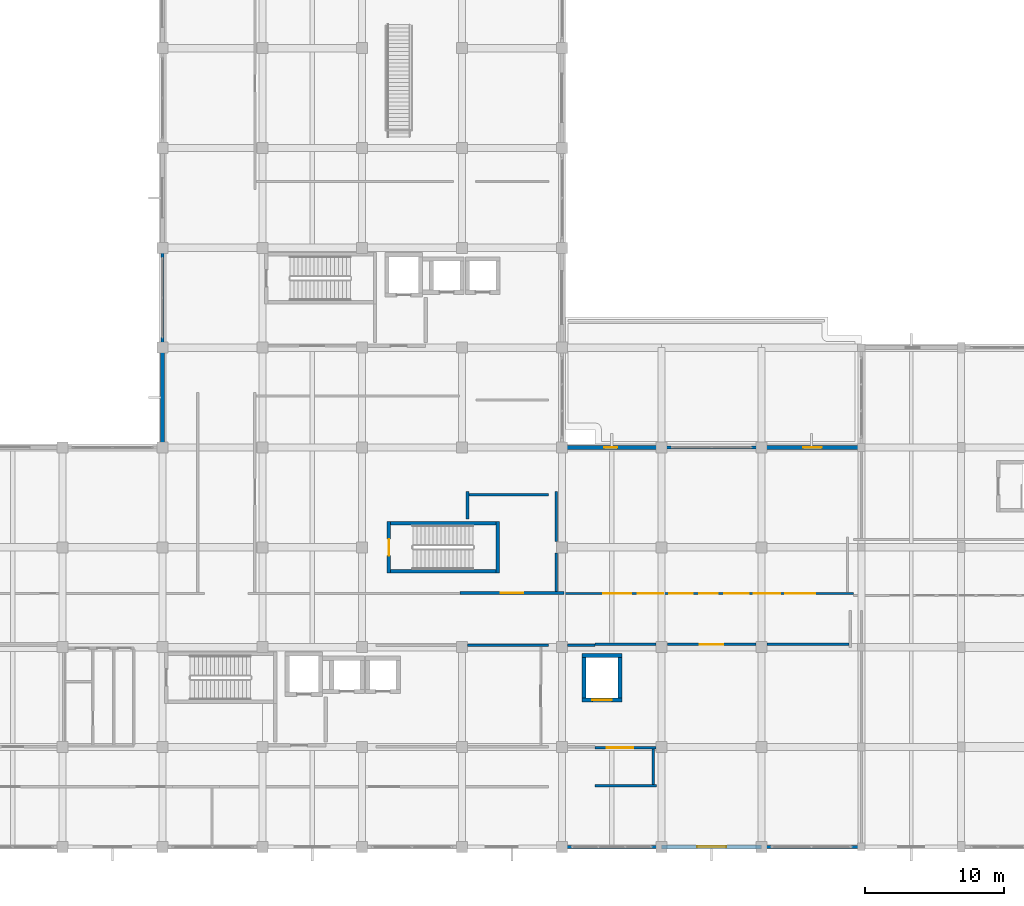
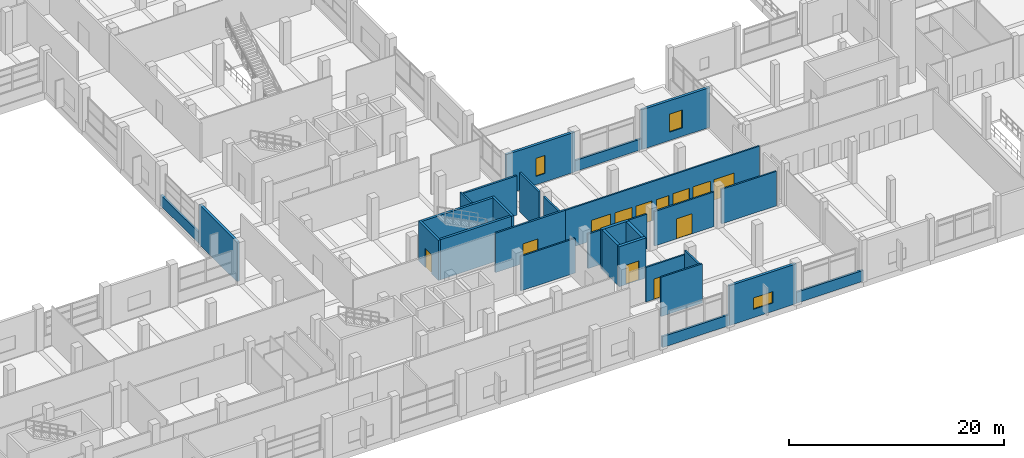
# One storey, part 123 of 140: 30 walls, 12 doors, 3 windows, 15 openings.
"""IFC4 building model written with IfcOpenShell, lengths in metres."""

from ifc_helpers import new_model, si_unit, direction, frame, frame_2d, origin, place, context, subcontext, project, spatial, rectangle, extrude, material, layer, layer_set, type_object, element, fill, save


model = new_model("IFC4")

# Units and contexts
model_context = context("Model", 3, precision=1e-05, world=origin(), true_north=direction((0.0, 1.0)))
body_context = subcontext(model_context, "Body", "Model", "MODEL_VIEW")
ifc_project = project(units=[si_unit("LENGTHUNIT", "METRE"), si_unit("AREAUNIT", "SQUARE_METRE"), si_unit("VOLUMEUNIT", "CUBIC_METRE"), si_unit("PLANEANGLEUNIT", "RADIAN"), si_unit("MASSUNIT", "GRAM", prefix="KILO")], contexts=[model_context])

# Site, building, storey
site_placement = place(None, origin())
site = spatial("IfcSite", under=ifc_project, at=site_placement, CompositionType="ELEMENT")
building_placement = place(site_placement, origin())
building = spatial("IfcBuilding", under=site, at=building_placement, Name="Seraya Terrace Polytechnic", CompositionType="ELEMENT")
storey_placement = place(building_placement, frame((0.0, 0.0, 9.60009765625)))
storey = spatial("IfcBuildingStorey", under=building, at=storey_placement, Name="L02", CompositionType="ELEMENT", Elevation=9.60009765625)

# Wall, opening, window
ifc_material_1 = material(Name="Precast concrete C40/50", Category="concrete")
ifc_layer_1 = layer(ifc_material_1, 0.280029296875, Name="EW-02")
ifc_layer_set_1 = layer_set([ifc_layer_1], Name="Precast concrete C40/50")
wall_type_1 = type_object("IfcWallType", Name="EW-02", PredefinedType="SOLIDWALL", material=ifc_layer_set_1)
wall_1_placement = place(storey_placement, frame((107.85009765625, 28.800048828125, 0.0), z_axis=(0.0, 0.0, 1.0), x_axis=(1.0, 0.0, 0.0)))
wall_1 = element("IfcWall", 1, at=wall_1_placement, inside=storey, type_object=wall_type_1, Name="Exterior structural wall EW-02 L02", PredefinedType="SOLIDWALL", context=body_context, shape_type="SweptSolid", body=[
    extrude(rectangle(XDim=7.349853515625, YDim=0.280029296875, at=frame_2d((3.6748046875, 0.0))), origin(), (0.0, 0.0, 1.0), 4.52001953125),
])
opening_1_placement = place(wall_1_placement, frame((3.199951171875, 0.0, 0.949951171875)))
opening_1 = element("IfcOpeningElement", 2, at=opening_1_placement, cuts=wall_1, Name="Opening WN-37", PredefinedType="OPENING", context=body_context, shape_type="SweptSolid", body=[
    extrude(rectangle(XDim=0.949951171875, YDim=2.050048828125, at=frame_2d((0.47509765625, 1.02490234375))), frame((0.0, 0.15185546875, 0.0), z_axis=(0.0, -1.0, 0.0), x_axis=(1.0, 0.0, 0.0)), (0.0, 0.0, 1.0), 0.303955078125),
])
ifc_material_2 = material(Name="Laminated solar-control Low-E double glazing", Category="glass")
window_type_1 = type_object("IfcWindowType", Name="WN-37", PartitioningType="SINGLE_PANEL", PredefinedType="WINDOW", material=ifc_material_2)
window_1_placement = place(opening_1_placement, origin())
window_1 = element("IfcWindow", 3, at=window_1_placement, inside=storey, type_object=window_type_1, Name="Exterior window WN-37 L02", OverallHeight=2.050048828125, OverallWidth=0.949951171875, PartitioningType="SINGLE_PANEL", PredefinedType="WINDOW", context=body_context, shape_type="SweptSolid", body=[
    extrude(rectangle(XDim=0.949951171875, YDim=2.050048828125, at=frame_2d((0.47509765625, 1.02490234375))), frame((0.0, 0.030029296875, 0.0), z_axis=(0.0, -1.0, 0.0), x_axis=(1.0, 0.0, 0.0)), (0.0, 0.0, 1.0), 0.06005859375),
])
fill(opening_1, window_1)

wall_2_placement = place(storey_placement, frame((122.39990234375, 28.800048828125, 0.0), z_axis=(0.0, 0.0, 1.0), x_axis=(1.0, 0.0, 0.0)))
wall_2 = element("IfcWall", 4, at=wall_2_placement, inside=storey, type_object=wall_type_1, Name="Exterior structural wall EW-02 L02", PredefinedType="SOLIDWALL", context=body_context, shape_type="SweptSolid", body=[
    extrude(rectangle(XDim=7.35009765625, YDim=0.280029296875, at=frame_2d((3.675048828125, 0.0))), origin(), (0.0, 0.0, 1.0), 4.52001953125),
])
opening_2_placement = place(wall_2_placement, frame((3.0, 0.0, 0.949951171875)))
opening_2 = element("IfcOpeningElement", 5, at=opening_2_placement, cuts=wall_2, Name="Opening WN-38", PredefinedType="OPENING", context=body_context, shape_type="SweptSolid", body=[
    extrude(rectangle(XDim=1.35009765625, YDim=2.050048828125, at=frame_2d((0.675048828125, 1.02490234375))), frame((0.0, 0.15185546875, 0.0), z_axis=(0.0, -1.0, 0.0), x_axis=(1.0, 0.0, 0.0)), (0.0, 0.0, 1.0), 0.303955078125),
])
window_type_2 = type_object("IfcWindowType", Name="WN-38", PartitioningType="SINGLE_PANEL", PredefinedType="WINDOW", material=ifc_material_2)
window_2_placement = place(opening_2_placement, origin())
window_2 = element("IfcWindow", 6, at=window_2_placement, inside=storey, type_object=window_type_2, Name="Exterior window WN-38 L02", OverallHeight=2.050048828125, OverallWidth=1.35009765625, PartitioningType="SINGLE_PANEL", PredefinedType="WINDOW", context=body_context, shape_type="SweptSolid", body=[
    extrude(rectangle(XDim=1.35009765625, YDim=2.050048828125, at=frame_2d((0.675048828125, 1.02490234375))), frame((0.0, 0.030029296875, 0.0), z_axis=(0.0, -1.0, 0.0), x_axis=(1.0, 0.0, 0.0)), (0.0, 0.0, 1.0), 0.06005859375),
])
fill(opening_2, window_2)

wall_3_placement = place(storey_placement, frame((122.39990234375, 0.0, 0.0), z_axis=(0.0, 0.0, 1.0), x_axis=(-1.0, 0.0, 0.0)))
wall_3 = element("IfcWall", 7, at=wall_3_placement, inside=storey, type_object=wall_type_1, Name="Exterior structural wall EW-02 L02", PredefinedType="SOLIDWALL", context=body_context, shape_type="SweptSolid", body=[
    extrude(rectangle(XDim=7.199951171875, YDim=0.280029296875, at=frame_2d((3.60009765625, 0.0))), origin(), (0.0, 0.0, 1.0), 4.52001953125),
])
opening_3_placement = place(wall_3_placement, frame((2.550048828125, 0.0, 0.949951171875)))
opening_3 = element("IfcOpeningElement", 8, at=opening_3_placement, cuts=wall_3, Name="Opening WN-08", PredefinedType="OPENING", context=body_context, shape_type="SweptSolid", body=[
    extrude(rectangle(XDim=2.10009765625, YDim=1.300048828125, at=frame_2d((1.050048828125, 0.64990234375))), frame((0.0, 0.15185546875, 0.0), z_axis=(0.0, -1.0, 0.0), x_axis=(1.0, 0.0, 0.0)), (0.0, 0.0, 1.0), 0.303955078125),
])
window_type_3 = type_object("IfcWindowType", Name="WN-08", PartitioningType="SINGLE_PANEL", PredefinedType="WINDOW", material=ifc_material_2)
window_3_placement = place(opening_3_placement, origin())
window_3 = element("IfcWindow", 9, at=window_3_placement, inside=storey, type_object=window_type_3, Name="Exterior window WN-08 L02", OverallHeight=1.300048828125, OverallWidth=2.10009765625, PartitioningType="SINGLE_PANEL", PredefinedType="WINDOW", context=body_context, shape_type="SweptSolid", body=[
    extrude(rectangle(XDim=2.10009765625, YDim=1.300048828125, at=frame_2d((1.050048828125, 0.64990234375))), frame((0.0, 0.030029296875, 0.0), z_axis=(0.0, -1.0, 0.0), x_axis=(1.0, 0.0, 0.0)), (0.0, 0.0, 1.0), 0.06005859375),
])
fill(opening_3, window_3)

# Walls
wall_4_placement = place(storey_placement, frame((79.199951171875, 28.951904296875, 0.0), z_axis=(0.0, 0.0, 1.0), x_axis=(0.0, 1.0, 0.0)))
element("IfcWall", 10, at=wall_4_placement, inside=storey, type_object=wall_type_1, Name="Exterior structural wall EW-02 L02", PredefinedType="SOLIDWALL", context=body_context, shape_type="SweptSolid", body=[
    extrude(rectangle(XDim=7.048095703125, YDim=0.280029296875, at=frame_2d((3.52392578125, 0.0))), origin(), (0.0, 0.0, 1.0), 4.52001953125),
])
ifc_layer_2 = layer(ifc_material_1, 0.219970703125, Name="EW-05")
ifc_layer_set_2 = layer_set([ifc_layer_2], Name="Precast concrete C40/50")
wall_type_2 = type_object("IfcWallType", Name="EW-05", PredefinedType="SOLIDWALL", material=ifc_layer_set_2)
wall_5_placement = place(storey_placement, frame((115.199951171875, 28.800048828125, 0.0), z_axis=(0.0, 0.0, 1.0), x_axis=(1.0, 0.0, 0.0)))
element("IfcWall", 11, at=wall_5_placement, inside=storey, type_object=wall_type_2, Name="Precast spandrel wall L02", PredefinedType="SOLIDWALL", context=body_context, shape_type="SweptSolid", body=[
    extrude(rectangle(XDim=7.199951171875, YDim=0.219970703125, at=frame_2d((3.60009765625, 0.0))), origin(), (0.0, 0.0, 1.0), 1.239990234375),
])
wall_6_placement = place(storey_placement, frame((129.60009765625, 0.0, 0.0), z_axis=(0.0, 0.0, 1.0), x_axis=(-1.0, 0.0, 0.0)))
element("IfcWall", 12, at=wall_6_placement, inside=storey, type_object=wall_type_2, Name="Precast spandrel wall L02", PredefinedType="SOLIDWALL", context=body_context, shape_type="SweptSolid", body=[
    extrude(rectangle(XDim=7.2001953125, YDim=0.219970703125, at=frame_2d((3.60009765625, 0.0))), origin(), (0.0, 0.0, 1.0), 1.239990234375),
])
for number, where, z_axis, x_axis, name in (
    (13, (115.199951171875, 0.0, 0.0), (0.0, 0.0, 1.0), (-1.0, 0.0, 0.0), "Precast spandrel wall L02"),
    (14, (79.199951171875, 36.0, 0.0), (0.0, 0.0, 1.0), (0.0, 1.0, 0.0), "Precast spandrel wall L02"),
):
    element("IfcWall", number, at=place(storey_placement, frame(where, z_axis=z_axis, x_axis=x_axis)), inside=storey, type_object=wall_type_2, Name=name, PredefinedType="SOLIDWALL", context=body_context, shape_type="SweptSolid", body=[
        extrude(rectangle(XDim=7.199951171875, YDim=0.219970703125, at=frame_2d((3.60009765625, 0.0))), origin(), (0.0, 0.0, 1.0), 1.239990234375),
    ])

# Wall, opening, door
ifc_material_3 = material(Name="Autoclaved aerated concrete blockwork", Category="masonry")
ifc_layer_3 = layer(ifc_material_3, 0.199951171875, Name="PT-01")
ifc_layer_set_3 = layer_set([ifc_layer_3], Name="Autoclaved aerated concrete blockwork")
wall_type_3 = type_object("IfcWallType", Name="PT-01", PredefinedType="PARTITIONING", material=ifc_layer_set_3)
wall_7_placement = place(storey_placement, frame((100.639892578125, 18.300048828125, 0.0), z_axis=(0.0, 0.0, 1.0), x_axis=(1.0, 0.0, 0.0)))
wall_7 = element("IfcWall", 15, at=wall_7_placement, inside=storey, type_object=wall_type_3, Name="Internal partition PT-01 L02", PredefinedType="PARTITIONING", context=body_context, shape_type="SweptSolid", body=[
    extrude(rectangle(XDim=7.52001953125, YDim=0.199951171875, at=frame_2d((3.760009765625, 0.0))), origin(), (0.0, 0.0, 1.0), 4.4599609375),
])
opening_4_placement = place(wall_7_placement, frame((2.93994140625, 0.0, 0.0)))
opening_4 = element("IfcOpeningElement", 16, at=opening_4_placement, cuts=wall_7, Name="Opening FD-03", PredefinedType="OPENING", context=body_context, shape_type="SweptSolid", body=[
    extrude(rectangle(XDim=1.639892578125, YDim=2.239990234375, at=frame_2d((0.81982421875, 1.1201171875))), frame((0.0, 0.11181640625, 0.0), z_axis=(0.0, -1.0, 0.0), x_axis=(1.0, 0.0, 0.0)), (0.0, 0.0, 1.0), 0.223876953125),
])
ifc_material_4 = material(Name="Steel S355J2", Category="steel")
door_type_1 = type_object("IfcDoorType", Name="FD-03", OperationType="DOUBLE_DOOR_SINGLE_SWING", PredefinedType="DOOR", material=ifc_material_4)
door_1_placement = place(opening_4_placement, origin())
door_1 = element("IfcDoor", 17, at=door_1_placement, inside=storey, type_object=door_type_1, Name="Door FD-03 DR-INT-L02-0146 in WL-INT-L02-0410", OperationType="DOUBLE_DOOR_SINGLE_SWING", OverallHeight=2.239990234375, OverallWidth=1.639892578125, PredefinedType="DOOR", context=body_context, shape_type="SweptSolid", body=[
    extrude(rectangle(XDim=1.639892578125, YDim=2.239990234375, at=frame_2d((0.81982421875, 1.1201171875))), frame((0.0, 0.02490234375, 0.0), z_axis=(0.0, -1.0, 0.0), x_axis=(1.0, 0.0, 0.0)), (0.0, 0.0, 1.0), 0.050048828125),
])
fill(opening_4, door_1)

# Walls
wall_8_placement = place(storey_placement, frame((101.199951171875, 23.6298828125, 0.0), z_axis=(0.0, 0.0, 1.0), x_axis=(0.0, 1.0, 0.0)))
element("IfcWall", 18, at=wall_8_placement, inside=storey, type_object=wall_type_3, Name="Internal partition PT-01 L02", PredefinedType="PARTITIONING", context=body_context, shape_type="SweptSolid", body=[
    extrude(rectangle(XDim=2.010009765625, YDim=0.199951171875, at=frame_2d((1.0048828125, 0.0))), origin(), (0.0, 0.0, 1.0), 4.4599609375),
])
wall_9_placement = place(storey_placement, frame((101.31494140625, 25.39990234375, 0.0), z_axis=(0.0, 0.0, 1.0), x_axis=(1.0, 0.0, 0.0)))
element("IfcWall", 19, at=wall_9_placement, inside=storey, type_object=wall_type_3, Name="Internal partition PT-01 L02", PredefinedType="PARTITIONING", context=body_context, shape_type="SweptSolid", body=[
    extrude(rectangle(XDim=5.740478515625, YDim=0.199951171875, at=frame_2d((2.8701171875, 0.0))), origin(), (0.0, 0.0, 1.0), 4.4599609375),
])
wall_10_placement = place(storey_placement, frame((107.60009765625, 22.010009765625, 0.0), z_axis=(0.0, 0.0, 1.0), x_axis=(0.0, 1.0, 0.0)))
element("IfcWall", 20, at=wall_10_placement, inside=storey, type_object=wall_type_3, Name="Internal partition PT-01 L02", PredefinedType="PARTITIONING", context=body_context, shape_type="SweptSolid", body=[
    extrude(rectangle(XDim=3.6298828125, YDim=0.199951171875, at=frame_2d((1.81494140625, 0.0))), origin(), (0.0, 0.0, 1.0), 4.4599609375),
])
wall_11_placement = place(storey_placement, frame((107.60009765625, 18.4150390625, 0.0), z_axis=(0.0, 0.0, 1.0), x_axis=(0.0, 1.0, 0.0)))
element("IfcWall", 21, at=wall_11_placement, inside=storey, type_object=wall_type_3, Name="Internal partition PT-01 L02", PredefinedType="PARTITIONING", context=body_context, shape_type="SweptSolid", body=[
    extrude(rectangle(XDim=2.77490234375, YDim=0.199951171875, at=frame_2d((1.387451171875, 0.0))), origin(), (0.0, 0.0, 1.0), 4.4599609375),
])
ifc_layer_4 = layer(ifc_material_3, 0.169921875, Name="PT-02")
ifc_layer_set_4 = layer_set([ifc_layer_4], Name="Autoclaved aerated concrete blockwork")
wall_type_4 = type_object("IfcWallType", Name="PT-02", PredefinedType="PARTITIONING", material=ifc_layer_set_4)
wall_12_placement = place(storey_placement, frame((101.2099609375, 14.530029296875, 0.0), z_axis=(0.0, 0.0, 1.0), x_axis=(1.0, 0.0, 0.0)))
element("IfcWall", 22, at=wall_12_placement, inside=storey, type_object=wall_type_4, Name="Internal partition PT-02 L02", PredefinedType="PARTITIONING", context=body_context, shape_type="SweptSolid", body=[
    extrude(rectangle(XDim=5.833984375, YDim=0.169921875, at=frame_2d((2.9169921875, 0.0))), origin(), (0.0, 0.0, 1.0), 3.929931640625),
])

# Wall, opening, door
wall_13_placement = place(storey_placement, frame((115.610107421875, 14.60009765625, 0.0), z_axis=(0.0, 0.0, 1.0), x_axis=(1.0, 0.0, 0.0)))
wall_13 = element("IfcWall", 23, at=wall_13_placement, inside=storey, type_object=wall_type_4, Name="Internal partition PT-02 L02", PredefinedType="PARTITIONING", context=body_context, shape_type="SweptSolid", body=[
    extrude(rectangle(XDim=6.3798828125, YDim=0.169921875, at=frame_2d((3.18994140625, 0.0))), origin(), (0.0, 0.0, 1.0), 3.929931640625),
])
opening_5_placement = place(wall_13_placement, frame((2.35009765625, 0.0, 0.0)))
opening_5 = element("IfcOpeningElement", 24, at=opening_5_placement, cuts=wall_13, Name="Opening ID-13", PredefinedType="OPENING", context=body_context, shape_type="SweptSolid", body=[
    extrude(rectangle(XDim=1.679931640625, YDim=2.280029296875, at=frame_2d((0.83984375, 1.14013671875))), frame((0.0, 0.096923828125, 0.0), z_axis=(0.0, -1.0, 0.0), x_axis=(1.0, 0.0, 0.0)), (0.0, 0.0, 1.0), 0.19384765625),
])
ifc_material_5 = material(Name="Malaysian dark red meranti hardwood timber D40", Category="wood")
door_type_2 = type_object("IfcDoorType", Name="ID-13", OperationType="DOUBLE_DOOR_SINGLE_SWING", PredefinedType="DOOR", material=ifc_material_5)
door_2_placement = place(opening_5_placement, origin())
door_2 = element("IfcDoor", 25, at=door_2_placement, inside=storey, type_object=door_type_2, Name="Door ID-13 DR-INT-L02-0154 in WL-INT-L02-0430", OperationType="DOUBLE_DOOR_SINGLE_SWING", OverallHeight=2.280029296875, OverallWidth=1.679931640625, PredefinedType="DOOR", context=body_context, shape_type="SweptSolid", body=[
    extrude(rectangle(XDim=1.679931640625, YDim=2.280029296875, at=frame_2d((0.83984375, 1.14013671875))), frame((0.0, 0.02490234375, 0.0), z_axis=(0.0, -1.0, 0.0), x_axis=(1.0, 0.0, 0.0)), (0.0, 0.0, 1.0), 0.050048828125),
])
fill(opening_5, door_2)

# Walls
wall_14_placement = place(storey_placement, frame((122.81005859375, 14.60009765625, 0.0), z_axis=(0.0, 0.0, 1.0), x_axis=(1.0, 0.0, 0.0)))
element("IfcWall", 26, at=wall_14_placement, inside=storey, type_object=wall_type_4, Name="Internal partition PT-02 L02", PredefinedType="PARTITIONING", context=body_context, shape_type="SweptSolid", body=[
    extrude(rectangle(XDim=5.889892578125, YDim=0.169921875, at=frame_2d((2.94482421875, 0.0))), origin(), (0.0, 0.0, 1.0), 3.929931640625),
])
wall_15_placement = place(storey_placement, frame((110.388427734375, 14.60009765625, 0.0), z_axis=(0.0, 0.0, 1.0), x_axis=(1.0, 0.0, 0.0)))
element("IfcWall", 27, at=wall_15_placement, inside=storey, type_object=wall_type_4, Name="Internal partition PT-02 L02", PredefinedType="PARTITIONING", context=body_context, shape_type="SweptSolid", body=[
    extrude(rectangle(XDim=4.401611328125, YDim=0.169921875, at=frame_2d((2.20068359375, 0.0))), origin(), (0.0, 0.0, 1.0), 3.929931640625),
])
wall_16_placement = place(storey_placement, frame((108.409912109375, 14.530029296875, 0.0), z_axis=(0.0, 0.0, 1.0), x_axis=(1.0, 0.0, 0.0)))
element("IfcWall", 28, at=wall_16_placement, inside=storey, type_object=wall_type_4, Name="Internal partition PT-02 L02", PredefinedType="PARTITIONING", context=body_context, shape_type="SweptSolid", body=[
    extrude(rectangle(XDim=1.978515625, YDim=0.169921875, at=frame_2d((0.9892578125, 0.0))), origin(), (0.0, 0.0, 1.0), 3.929931640625),
])

# Wall, openings, doors
wall_17_placement = place(storey_placement, frame((108.159912109375, 18.27001953125, 0.0), z_axis=(0.0, 0.0, 1.0), x_axis=(1.0, 0.0, 0.0)))
wall_17 = element("IfcWall", 29, at=wall_17_placement, inside=storey, type_object=wall_type_4, Name="Internal partition PT-02 L02", PredefinedType="PARTITIONING", context=body_context, shape_type="SweptSolid", body=[
    extrude(rectangle(XDim=20.8603515625, YDim=0.169921875, at=frame_2d((10.43017578125, 0.0))), origin(), (0.0, 0.0, 1.0), 4.4599609375),
])
opening_6_placement = place(wall_17_placement, frame((9.760009765625, 0.0, 0.0)))
opening_6 = element("IfcOpeningElement", 30, at=opening_6_placement, cuts=wall_17, Name="Opening ID-09", PredefinedType="OPENING", context=body_context, shape_type="SweptSolid", body=[
    extrude(rectangle(XDim=1.340087890625, YDim=2.239990234375, at=frame_2d((0.669921875, 1.1201171875))), frame((0.0, 0.096923828125, 0.0), z_axis=(0.0, -1.0, 0.0), x_axis=(1.0, 0.0, 0.0)), (0.0, 0.0, 1.0), 0.19384765625),
])
opening_7_placement = place(wall_17_placement, frame((7.590087890625, 0.0, 0.0)))
opening_7 = element("IfcOpeningElement", 31, at=opening_7_placement, cuts=wall_17, Name="Opening ID-13", PredefinedType="OPENING", context=body_context, shape_type="SweptSolid", body=[
    extrude(rectangle(XDim=1.679931640625, YDim=2.280029296875, at=frame_2d((0.83984375, 1.14013671875))), frame((0.0, 0.096923828125, 0.0), z_axis=(0.0, -1.0, 0.0), x_axis=(1.0, 0.0, 0.0)), (0.0, 0.0, 1.0), 0.19384765625),
])
opening_8_placement = place(wall_17_placement, frame((11.550048828125, 0.0, 0.0)))
opening_8 = element("IfcOpeningElement", 32, at=opening_8_placement, cuts=wall_17, Name="Opening ID-14", PredefinedType="OPENING", context=body_context, shape_type="SweptSolid", body=[
    extrude(rectangle(XDim=1.760009765625, YDim=2.300048828125, at=frame_2d((0.8798828125, 1.14990234375))), frame((0.0, 0.096923828125, 0.0), z_axis=(0.0, -1.0, 0.0), x_axis=(1.0, 0.0, 0.0)), (0.0, 0.0, 1.0), 0.19384765625),
])
opening_9_placement = place(wall_17_placement, frame((5.31005859375, 0.0, 0.0)))
opening_9 = element("IfcOpeningElement", 33, at=opening_9_placement, cuts=wall_17, Name="Opening ID-15", PredefinedType="OPENING", context=body_context, shape_type="SweptSolid", body=[
    extrude(rectangle(XDim=1.840087890625, YDim=2.300048828125, at=frame_2d((0.919921875, 1.14990234375))), frame((0.0, 0.096923828125, 0.0), z_axis=(0.0, -1.0, 0.0), x_axis=(1.0, 0.0, 0.0)), (0.0, 0.0, 1.0), 0.19384765625),
])
opening_10_placement = place(wall_17_placement, frame((13.670166015625, 0.0, 0.0)))
opening_10 = element("IfcOpeningElement", 34, at=opening_10_placement, cuts=wall_17, Name="Opening ID-16", PredefinedType="OPENING", context=body_context, shape_type="SweptSolid", body=[
    extrude(rectangle(XDim=1.919921875, YDim=2.320068359375, at=frame_2d((0.9599609375, 1.16015625))), frame((0.0, 0.096923828125, 0.0), z_axis=(0.0, -1.0, 0.0), x_axis=(1.0, 0.0, 0.0)), (0.0, 0.0, 1.0), 0.19384765625),
])
opening_11_placement = place(wall_17_placement, frame((2.81005859375, 0.0, 0.0)))
opening_11 = element("IfcOpeningElement", 35, at=opening_11_placement, cuts=wall_17, Name="Opening ID-17", PredefinedType="OPENING", context=body_context, shape_type="SweptSolid", body=[
    extrude(rectangle(XDim=2.0400390625, YDim=2.340087890625, at=frame_2d((1.02001953125, 1.169921875))), frame((0.0, 0.096923828125, 0.0), z_axis=(0.0, -1.0, 0.0), x_axis=(1.0, 0.0, 0.0)), (0.0, 0.0, 1.0), 0.19384765625),
])
opening_12_placement = place(wall_17_placement, frame((15.9501953125, 0.0, 0.0)))
opening_12 = element("IfcOpeningElement", 36, at=opening_12_placement, cuts=wall_17, Name="Opening ID-18", PredefinedType="OPENING", context=body_context, shape_type="SweptSolid", body=[
    extrude(rectangle(XDim=2.159912109375, YDim=2.35009765625, at=frame_2d((1.080078125, 1.175048828125))), frame((0.0, 0.096923828125, 0.0), z_axis=(0.0, -1.0, 0.0), x_axis=(1.0, 0.0, 0.0)), (0.0, 0.0, 1.0), 0.19384765625),
])
door_type_3 = type_object("IfcDoorType", Name="ID-09", OperationType="NOTDEFINED", PredefinedType="DOOR", material=ifc_material_5)
door_3_placement = place(opening_6_placement, origin())
door_3 = element("IfcDoor", 37, at=door_3_placement, inside=storey, type_object=door_type_3, Name="Door ID-09 DR-INT-L02-0134 in WL-INT-L02-0434", OperationType="SINGLE_SWING_LEFT", OverallHeight=2.239990234375, OverallWidth=1.340087890625, PredefinedType="DOOR", context=body_context, shape_type="SweptSolid", body=[
    extrude(rectangle(XDim=1.340087890625, YDim=2.239990234375, at=frame_2d((0.669921875, 1.1201171875))), frame((0.0, 0.02490234375, 0.0), z_axis=(0.0, -1.0, 0.0), x_axis=(1.0, 0.0, 0.0)), (0.0, 0.0, 1.0), 0.050048828125),
])
fill(opening_6, door_3)
door_4_placement = place(opening_7_placement, origin())
door_4 = element("IfcDoor", 38, at=door_4_placement, inside=storey, type_object=door_type_2, Name="Door ID-13 DR-INT-L02-0170 in WL-INT-L02-0434", OperationType="DOUBLE_DOOR_SINGLE_SWING", OverallHeight=2.280029296875, OverallWidth=1.679931640625, PredefinedType="DOOR", context=body_context, shape_type="SweptSolid", body=[
    extrude(rectangle(XDim=1.679931640625, YDim=2.280029296875, at=frame_2d((0.83984375, 1.14013671875))), frame((0.0, 0.02490234375, 0.0), z_axis=(0.0, -1.0, 0.0), x_axis=(1.0, 0.0, 0.0)), (0.0, 0.0, 1.0), 0.050048828125),
])
fill(opening_7, door_4)
door_type_4 = type_object("IfcDoorType", Name="ID-14", OperationType="DOUBLE_DOOR_SINGLE_SWING", PredefinedType="DOOR", material=ifc_material_5)
door_5_placement = place(opening_8_placement, frame((1.760009765625, 0.0, 0.0), z_axis=(0.0, 0.0, 1.0), x_axis=(-1.0, 0.0, 0.0)))
door_5 = element("IfcDoor", 39, at=door_5_placement, inside=storey, type_object=door_type_4, Name="Door ID-14 DR-INT-L02-0171 in WL-INT-L02-0434", OperationType="DOUBLE_DOOR_SINGLE_SWING", OverallHeight=2.300048828125, OverallWidth=1.760009765625, PredefinedType="DOOR", context=body_context, shape_type="SweptSolid", body=[
    extrude(rectangle(XDim=1.760009765625, YDim=2.300048828125, at=frame_2d((0.8798828125, 1.14990234375))), frame((0.0, 0.02490234375, 0.0), z_axis=(0.0, -1.0, 0.0), x_axis=(1.0, 0.0, 0.0)), (0.0, 0.0, 1.0), 0.050048828125),
])
fill(opening_8, door_5)
door_type_5 = type_object("IfcDoorType", Name="ID-15", OperationType="DOUBLE_DOOR_SINGLE_SWING", PredefinedType="DOOR", material=ifc_material_5)
door_6_placement = place(opening_9_placement, origin())
door_6 = element("IfcDoor", 40, at=door_6_placement, inside=storey, type_object=door_type_5, Name="Door ID-15 DR-INT-L02-0172 in WL-INT-L02-0434", OperationType="DOUBLE_DOOR_SINGLE_SWING", OverallHeight=2.300048828125, OverallWidth=1.840087890625, PredefinedType="DOOR", context=body_context, shape_type="SweptSolid", body=[
    extrude(rectangle(XDim=1.840087890625, YDim=2.300048828125, at=frame_2d((0.919921875, 1.14990234375))), frame((0.0, 0.02490234375, 0.0), z_axis=(0.0, -1.0, 0.0), x_axis=(1.0, 0.0, 0.0)), (0.0, 0.0, 1.0), 0.050048828125),
])
fill(opening_9, door_6)
door_type_6 = type_object("IfcDoorType", Name="ID-16", OperationType="DOUBLE_DOOR_SINGLE_SWING", PredefinedType="DOOR", material=ifc_material_5)
door_7_placement = place(opening_10_placement, frame((1.919921875, 0.0, 0.0), z_axis=(0.0, 0.0, 1.0), x_axis=(-1.0, 0.0, 0.0)))
door_7 = element("IfcDoor", 41, at=door_7_placement, inside=storey, type_object=door_type_6, Name="Door ID-16 DR-INT-L02-0173 in WL-INT-L02-0434", OperationType="DOUBLE_DOOR_SINGLE_SWING", OverallHeight=2.320068359375, OverallWidth=1.919921875, PredefinedType="DOOR", context=body_context, shape_type="SweptSolid", body=[
    extrude(rectangle(XDim=1.919921875, YDim=2.320068359375, at=frame_2d((0.9599609375, 1.16015625))), frame((0.0, 0.02490234375, 0.0), z_axis=(0.0, -1.0, 0.0), x_axis=(1.0, 0.0, 0.0)), (0.0, 0.0, 1.0), 0.050048828125),
])
fill(opening_10, door_7)
door_type_7 = type_object("IfcDoorType", Name="ID-17", OperationType="DOUBLE_DOOR_SINGLE_SWING", PredefinedType="DOOR", material=ifc_material_5)
door_8_placement = place(opening_11_placement, origin())
door_8 = element("IfcDoor", 42, at=door_8_placement, inside=storey, type_object=door_type_7, Name="Door ID-17 DR-INT-L02-0174 in WL-INT-L02-0434", OperationType="DOUBLE_DOOR_SINGLE_SWING", OverallHeight=2.340087890625, OverallWidth=2.0400390625, PredefinedType="DOOR", context=body_context, shape_type="SweptSolid", body=[
    extrude(rectangle(XDim=2.0400390625, YDim=2.340087890625, at=frame_2d((1.02001953125, 1.169921875))), frame((0.0, 0.02490234375, 0.0), z_axis=(0.0, -1.0, 0.0), x_axis=(1.0, 0.0, 0.0)), (0.0, 0.0, 1.0), 0.050048828125),
])
fill(opening_11, door_8)
door_type_8 = type_object("IfcDoorType", Name="ID-18", OperationType="DOUBLE_DOOR_SINGLE_SWING", PredefinedType="DOOR", material=ifc_material_5)
door_9_placement = place(opening_12_placement, frame((2.159912109375, 0.0, 0.0), z_axis=(0.0, 0.0, 1.0), x_axis=(-1.0, 0.0, 0.0)))
door_9 = element("IfcDoor", 43, at=door_9_placement, inside=storey, type_object=door_type_8, Name="Door ID-18 DR-INT-L02-0175 in WL-INT-L02-0434", OperationType="DOUBLE_DOOR_SINGLE_SWING", OverallHeight=2.35009765625, OverallWidth=2.159912109375, PredefinedType="DOOR", context=body_context, shape_type="SweptSolid", body=[
    extrude(rectangle(XDim=2.159912109375, YDim=2.35009765625, at=frame_2d((1.080078125, 1.175048828125))), frame((0.0, 0.02490234375, 0.0), z_axis=(0.0, -1.0, 0.0), x_axis=(1.0, 0.0, 0.0)), (0.0, 0.0, 1.0), 0.050048828125),
])
fill(opening_12, door_9)

# Wall
wall_18_placement = place(storey_placement, frame((110.388427734375, 4.39990234375, 0.0), z_axis=(0.0, 0.0, 1.0), x_axis=(1.0, 0.0, 0.0)))
element("IfcWall", 44, at=wall_18_placement, inside=storey, type_object=wall_type_4, Name="Internal partition PT-02 L02", PredefinedType="PARTITIONING", context=body_context, shape_type="SweptSolid", body=[
    extrude(rectangle(XDim=4.45166015625, YDim=0.169921875, at=frame_2d((2.225830078125, 0.0))), origin(), (0.0, 0.0, 1.0), 4.4599609375),
])

# Wall, opening, door
wall_19_placement = place(storey_placement, frame((110.388427734375, 7.14990234375, 0.0), z_axis=(0.0, 0.0, 1.0), x_axis=(1.0, 0.0, 0.0)))
wall_19 = element("IfcWall", 45, at=wall_19_placement, inside=storey, type_object=wall_type_4, Name="Internal partition PT-02 L02", PredefinedType="PARTITIONING", context=body_context, shape_type="SweptSolid", body=[
    extrude(rectangle(XDim=4.401611328125, YDim=0.169921875, at=frame_2d((2.20068359375, 0.0))), origin(), (0.0, 0.0, 1.0), 3.929931640625),
])
opening_13_placement = place(wall_19_placement, frame((0.8408203125, 0.0, 0.0)))
opening_13 = element("IfcOpeningElement", 46, at=opening_13_placement, cuts=wall_19, Name="Opening ID-16", PredefinedType="OPENING", context=body_context, shape_type="SweptSolid", body=[
    extrude(rectangle(XDim=1.919921875, YDim=2.320068359375, at=frame_2d((0.9599609375, 1.16015625))), frame((0.0, 0.096923828125, 0.0), z_axis=(0.0, -1.0, 0.0), x_axis=(1.0, 0.0, 0.0)), (0.0, 0.0, 1.0), 0.19384765625),
])
door_10_placement = place(opening_13_placement, frame((1.919921875, 0.0, 0.0), z_axis=(0.0, 0.0, 1.0), x_axis=(-1.0, 0.0, 0.0)))
door_10 = element("IfcDoor", 47, at=door_10_placement, inside=storey, type_object=door_type_6, Name="Door ID-16 DR-INT-L02-0157 in WL-INT-L02-0441", OperationType="DOUBLE_DOOR_SINGLE_SWING", OverallHeight=2.320068359375, OverallWidth=1.919921875, PredefinedType="DOOR", context=body_context, shape_type="SweptSolid", body=[
    extrude(rectangle(XDim=1.919921875, YDim=2.320068359375, at=frame_2d((0.9599609375, 1.16015625))), frame((0.0, 0.02490234375, 0.0), z_axis=(0.0, -1.0, 0.0), x_axis=(1.0, 0.0, 0.0)), (0.0, 0.0, 1.0), 0.050048828125),
])
fill(opening_13, door_10)

# Wall
wall_20_placement = place(storey_placement, frame((114.60009765625, 4.5, 0.0), z_axis=(0.0, 0.0, 1.0), x_axis=(0.0, 1.0, 0.0)))
element("IfcWall", 48, at=wall_20_placement, inside=storey, type_object=wall_type_4, Name="Internal partition PT-02 L02", PredefinedType="PARTITIONING", context=body_context, shape_type="SweptSolid", body=[
    extrude(rectangle(XDim=2.550048828125, YDim=0.169921875, at=frame_2d((1.27490234375, 0.0))), origin(), (0.0, 0.0, 1.0), 4.4599609375),
])

# Wall, opening, door
ifc_material_6 = material(Name="Concrete C40/50", Category="concrete")
ifc_layer_5 = layer(ifc_material_6, 0.300048828125, Name="SW-01")
ifc_layer_set_5 = layer_set([ifc_layer_5], Name="Concrete C40/50")
wall_type_5 = type_object("IfcWallType", Name="SW-01", PredefinedType="SHEAR", material=ifc_layer_set_5)
wall_21_placement = place(storey_placement, frame((109.449951171875, 10.60009765625, 0.0), z_axis=(0.0, 0.0, 1.0), x_axis=(1.0, 0.0, 0.0)))
wall_21 = element("IfcWall", 49, at=wall_21_placement, inside=storey, type_object=wall_type_5, Name="Lift shaft GL-02 South wall L02", PredefinedType="SHEAR", context=body_context, shape_type="SweptSolid", body=[
    extrude(rectangle(XDim=2.900146484375, YDim=0.300048828125, at=frame_2d((1.4501953125, 0.0))), origin(), (0.0, 0.0, 1.0), 4.5498046875),
])
opening_14_placement = place(wall_21_placement, frame((0.75, 0.0, 0.0)))
opening_14 = element("IfcOpeningElement", 50, at=opening_14_placement, cuts=wall_21, Name="Opening LD-02", PredefinedType="OPENING", context=body_context, shape_type="SweptSolid", body=[
    extrude(rectangle(XDim=1.39990234375, YDim=2.199951171875, at=frame_2d((0.699951171875, 1.10009765625))), frame((0.0, 0.162109375, 0.0), z_axis=(0.0, -1.0, 0.0), x_axis=(1.0, 0.0, 0.0)), (0.0, 0.0, 1.0), 0.323974609375),
])
door_type_9 = type_object("IfcDoorType", Name="LD-02", OperationType="SLIDING_TO_RIGHT", PredefinedType="DOOR", material=ifc_material_4)
door_11_placement = place(opening_14_placement, frame((1.39990234375, 0.0, 0.0), z_axis=(0.0, 0.0, 1.0), x_axis=(-1.0, 0.0, 0.0)))
door_11 = element("IfcDoor", 51, at=door_11_placement, inside=storey, type_object=door_type_9, Name="Door LD-02 LD-GL-02-L02 in WL-SHF-GL-02-L02-S", OperationType="SLIDING_TO_RIGHT", OverallHeight=2.199951171875, OverallWidth=1.39990234375, PredefinedType="DOOR", context=body_context, shape_type="SweptSolid", body=[
    extrude(rectangle(XDim=1.39990234375, YDim=2.199951171875, at=frame_2d((0.699951171875, 1.10009765625))), frame((0.0, 0.02490234375, 0.0), z_axis=(0.0, -1.0, 0.0), x_axis=(1.0, 0.0, 0.0)), (0.0, 0.0, 1.0), 0.050048828125),
])
fill(opening_14, door_11)

# Walls
wall_22_placement = place(storey_placement, frame((109.449951171875, 13.800048828125, 0.0), z_axis=(0.0, 0.0, 1.0), x_axis=(1.0, 0.0, 0.0)))
element("IfcWall", 52, at=wall_22_placement, inside=storey, type_object=wall_type_5, Name="Lift shaft GL-02 North wall L02", PredefinedType="SHEAR", context=body_context, shape_type="SweptSolid", body=[
    extrude(rectangle(XDim=2.900146484375, YDim=0.300048828125, at=frame_2d((1.4501953125, 0.0))), origin(), (0.0, 0.0, 1.0), 4.5498046875),
])
for number, where, z_axis, x_axis, name in (
    (53, (109.60009765625, 10.75, 0.0), (0.0, 0.0, 1.0), (0.0, 1.0, 0.0), "Lift shaft GL-02 West wall L02"),
    (54, (112.199951171875, 10.75, 0.0), (0.0, 0.0, 1.0), (0.0, 1.0, 0.0), "Lift shaft GL-02 East wall L02"),
):
    element("IfcWall", number, at=place(storey_placement, frame(where, z_axis=z_axis, x_axis=x_axis)), inside=storey, type_object=wall_type_5, Name=name, PredefinedType="SHEAR", context=body_context, shape_type="SweptSolid", body=[
        extrude(rectangle(XDim=2.89990234375, YDim=0.300048828125, at=frame_2d((1.449951171875, 0.0))), origin(), (0.0, 0.0, 1.0), 4.5498046875),
    ])

# Wall, opening, door
ifc_layer_6 = layer(ifc_material_6, 0.25, Name="SW-02")
ifc_layer_set_6 = layer_set([ifc_layer_6], Name="Concrete C40/50")
wall_type_6 = type_object("IfcWallType", Name="SW-02", PredefinedType="SHEAR", material=ifc_layer_set_6)
wall_23_placement = place(storey_placement, frame((95.52490234375, 19.75, 0.0), z_axis=(0.0, 0.0, 1.0), x_axis=(0.0, 1.0, 0.0)))
wall_23 = element("IfcWall", 55, at=wall_23_placement, inside=storey, type_object=wall_type_6, Name="Stairwell ST-05 West wall L02", PredefinedType="SHEAR", context=body_context, shape_type="SweptSolid", body=[
    extrude(rectangle(XDim=3.699951171875, YDim=0.25, at=frame_2d((1.85009765625, 0.0))), origin(), (0.0, 0.0, 1.0), 4.5498046875),
])
opening_15_placement = place(wall_23_placement, frame((1.25, 0.0, 0.0)))
opening_15 = element("IfcOpeningElement", 56, at=opening_15_placement, cuts=wall_23, Name="Opening FD-01", PredefinedType="OPENING", context=body_context, shape_type="SweptSolid", body=[
    extrude(rectangle(XDim=1.199951171875, YDim=2.14990234375, at=frame_2d((0.60009765625, 1.074951171875))), frame((0.0, 0.136962890625, 0.0), z_axis=(0.0, -1.0, 0.0), x_axis=(1.0, 0.0, 0.0)), (0.0, 0.0, 1.0), 0.27392578125),
])
door_type_10 = type_object("IfcDoorType", Name="FD-01", OperationType="NOTDEFINED", PredefinedType="DOOR", material=ifc_material_4)
door_12_placement = place(opening_15_placement, frame((1.199951171875, 0.0, 0.0), z_axis=(0.0, 0.0, 1.0), x_axis=(-1.0, 0.0, 0.0)))
door_12 = element("IfcDoor", 57, at=door_12_placement, inside=storey, type_object=door_type_10, Name="Door FD-01 DR-STR-ST-05-L02 in WL-STR-ST-05-L02-W", OperationType="SINGLE_SWING_RIGHT", OverallHeight=2.14990234375, OverallWidth=1.199951171875, PredefinedType="DOOR", context=body_context, shape_type="SweptSolid", body=[
    extrude(rectangle(XDim=1.199951171875, YDim=2.14990234375, at=frame_2d((0.60009765625, 1.074951171875))), frame((0.0, 0.02490234375, 0.0), z_axis=(0.0, -1.0, 0.0), x_axis=(1.0, 0.0, 0.0)), (0.0, 0.0, 1.0), 0.050048828125),
])
fill(opening_15, door_12)

# Walls
wall_24_placement = place(storey_placement, frame((103.375, 19.75, 0.0), z_axis=(0.0, 0.0, 1.0), x_axis=(0.0, 1.0, 0.0)))
element("IfcWall", 58, at=wall_24_placement, inside=storey, type_object=wall_type_6, Name="Stairwell ST-05 East wall L02", PredefinedType="SHEAR", context=body_context, shape_type="SweptSolid", body=[
    extrude(rectangle(XDim=3.699951171875, YDim=0.25, at=frame_2d((1.85009765625, 0.0))), origin(), (0.0, 0.0, 1.0), 4.5498046875),
])
for number, where, z_axis, x_axis, name in (
    (59, (95.64990234375, 19.875, 0.0), (0.0, 0.0, 1.0), (1.0, 0.0, 0.0), "Stairwell ST-05 South wall L02"),
    (60, (95.64990234375, 23.324951171875, 0.0), (0.0, 0.0, 1.0), (1.0, 0.0, 0.0), "Stairwell ST-05 North wall L02"),
):
    element("IfcWall", number, at=place(storey_placement, frame(where, z_axis=z_axis, x_axis=x_axis)), inside=storey, type_object=wall_type_6, Name=name, PredefinedType="SHEAR", context=body_context, shape_type="SweptSolid", body=[
        extrude(rectangle(XDim=7.60009765625, YDim=0.25, at=frame_2d((3.800048828125, 0.0))), origin(), (0.0, 0.0, 1.0), 4.5498046875),
    ])

save(model, "model.ifc")
